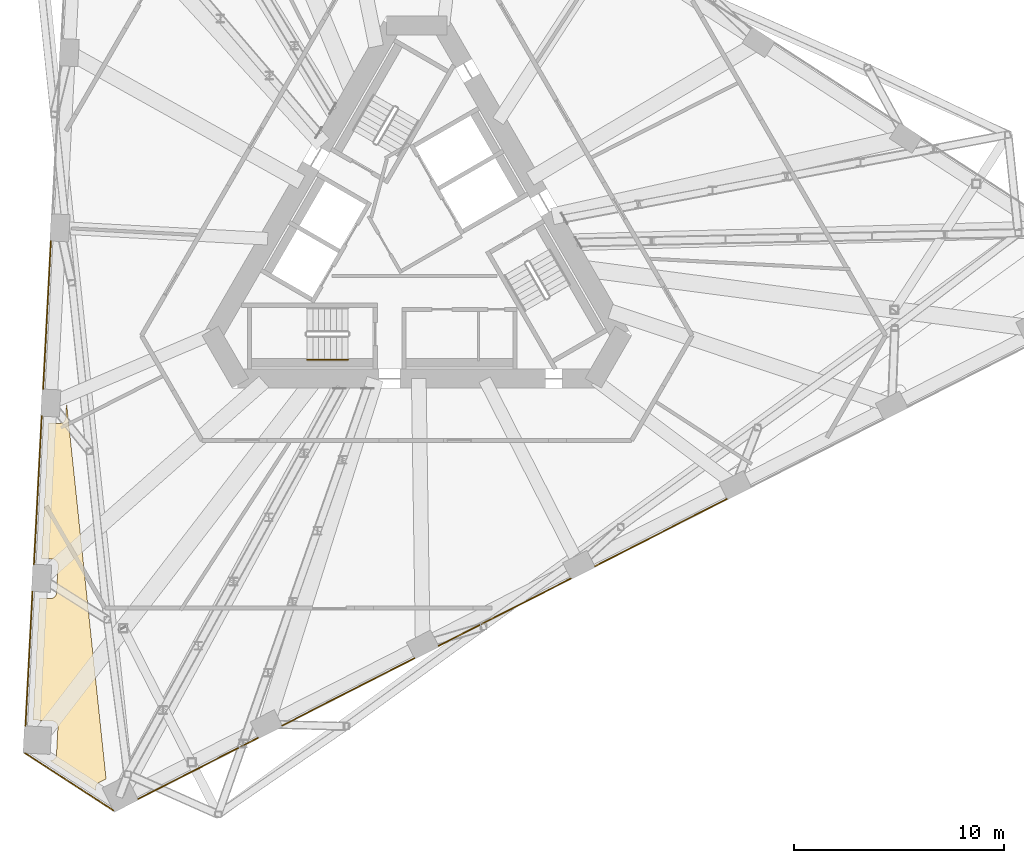
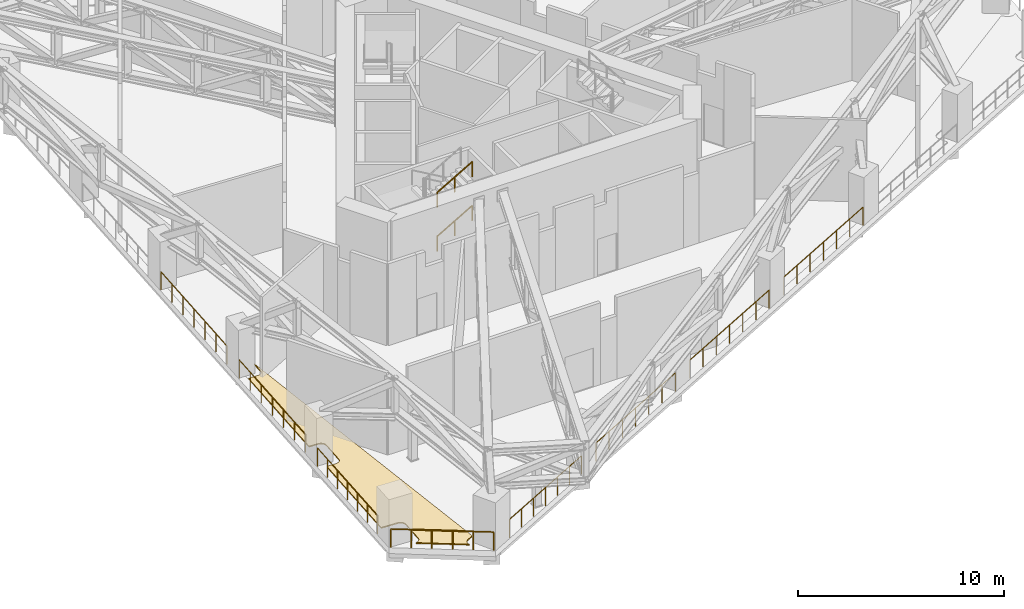
# One storey, part 22 of 26: 10 railings, 2 coverings.
"""IFC4 building model written with IfcOpenShell, lengths in metres."""

from ifc_helpers import new_model, si_unit, direction, frame, origin, origin_2d, place, context, subcontext, project, spatial, polyline, circle, outline, extrude, material, layer, layer_set, type_object, element, save


model = new_model("IFC4")

# Units and contexts
model_context = context("Model", 3, precision=1e-05, world=origin(), true_north=direction((0.0, 1.0)))
body_context = subcontext(model_context, "Body", "Model", "MODEL_VIEW")
ifc_project = project(units=[si_unit("LENGTHUNIT", "METRE"), si_unit("AREAUNIT", "SQUARE_METRE"), si_unit("VOLUMEUNIT", "CUBIC_METRE"), si_unit("PLANEANGLEUNIT", "RADIAN"), si_unit("MASSUNIT", "GRAM", prefix="KILO")], contexts=[model_context])

# Site, building, storey
site_placement = place(None, origin())
site = spatial("IfcSite", under=ifc_project, at=site_placement, CompositionType="ELEMENT")
building_placement = place(site_placement, origin())
building = spatial("IfcBuilding", under=site, at=building_placement, Name="Tramontana Tower", CompositionType="ELEMENT")
storey_placement = place(building_placement, frame((0.0, 0.0, 157.60009765625)))
storey = spatial("IfcBuildingStorey", under=building, at=storey_placement, Name="L36", CompositionType="ELEMENT", Elevation=157.60009765625)

# Railings
ifc_material_1 = material(Name="Stainless steel rail and posts", Category="steel")
railing_type_1 = type_object("IfcRailingType", Name="GD2 Terrace guard 1100", PredefinedType="GUARDRAIL", material=ifc_material_1)
railing_1_placement = place(storey_placement, frame((-18.690673828125, -24.169677734375, 0.0)))
element("IfcRailing", 1, at=railing_1_placement, inside=storey, type_object=railing_type_1, Name="Edge guard L36 1", PredefinedType="GUARDRAIL", context=body_context, shape_type="SweptSolid", body=[
    extrude(circle(Radius=0.02392578125, at=origin_2d()), frame((0.0, 0.0, 1.076171875), z_axis=(0.838682290611, -0.544620983268, 0.0), x_axis=(0.544620983268, 0.838682290611, 0.0)), (0.0, 0.0, 1.0), 5.02294921875),
    extrude(circle(Radius=0.02099609375, at=origin_2d()), origin(), (0.0, 0.0, 1.0), 1.052001953125),
    extrude(circle(Radius=0.02099609375, at=origin_2d()), frame((0.842529296875, -0.547119140625, 0.0)), (0.0, 0.0, 1.0), 1.052001953125),
    extrude(circle(Radius=0.02099609375, at=origin_2d()), frame((1.68505859375, -1.09423828125, 0.0)), (0.0, 0.0, 1.0), 1.052001953125),
    extrude(circle(Radius=0.02099609375, at=origin_2d()), frame((2.527587890625, -1.641357421875, 0.0)), (0.0, 0.0, 1.0), 1.052001953125),
    extrude(circle(Radius=0.02099609375, at=origin_2d()), frame((3.3701171875, -2.1884765625, 0.0)), (0.0, 0.0, 1.0), 1.052001953125),
    extrude(circle(Radius=0.02099609375, at=origin_2d()), frame((4.212646484375, -2.735595703125, 0.0)), (0.0, 0.0, 1.0), 1.052001953125),
])
railing_2_placement = place(storey_placement, frame((-18.33642578125, -16.4560546875, 0.0)))
element("IfcRailing", 2, at=railing_2_placement, inside=storey, type_object=railing_type_1, Name="Edge guard L36 2", PredefinedType="GUARDRAIL", context=body_context, shape_type="SweptSolid", body=[
    extrude(circle(Radius=0.02392578125, at=origin_2d()), frame((0.0, 0.0, 1.076171875), z_axis=(-0.052313391961, -0.998630717043, 0.0), x_axis=(0.998630717043, -0.052313391961, 0.0)), (0.0, 0.0, 1.0), 6.421630859375),
    extrude(circle(Radius=0.02099609375, at=origin_2d()), origin(), (0.0, 0.0, 1.0), 1.052001953125),
    extrude(circle(Radius=0.02099609375, at=origin_2d()), frame((-0.055908203125, -1.06884765625, 0.0)), (0.0, 0.0, 1.0), 1.052001953125),
    extrude(circle(Radius=0.02099609375, at=origin_2d()), frame((-0.112060546875, -2.1376953125, 0.0)), (0.0, 0.0, 1.0), 1.052001953125),
    extrude(circle(Radius=0.02099609375, at=origin_2d()), frame((-0.16796875, -3.20654296875, 0.0)), (0.0, 0.0, 1.0), 1.052001953125),
    extrude(circle(Radius=0.02099609375, at=origin_2d()), frame((-0.223876953125, -4.275146484375, 0.0)), (0.0, 0.0, 1.0), 1.052001953125),
    extrude(circle(Radius=0.02099609375, at=origin_2d()), frame((-0.280029296875, -5.343994140625, 0.0)), (0.0, 0.0, 1.0), 1.052001953125),
    extrude(circle(Radius=0.02099609375, at=origin_2d()), frame((-0.3359375, -6.412841796875, 0.0)), (0.0, 0.0, 1.0), 1.052001953125),
])
for number, where, name in (
    (3, (-17.898193359375, -8.095947265625, 0.0), "Edge guard L36 3"),
    (4, (-17.460205078125, 0.26416015625, 0.0), "Edge guard L36 4"),
):
    element("IfcRailing", number, at=place(storey_placement, frame(where)), inside=storey, type_object=railing_type_1, Name=name, PredefinedType="GUARDRAIL", context=body_context, shape_type="SweptSolid", body=[
        extrude(circle(Radius=0.02392578125, at=origin_2d()), frame((0.0, 0.0, 1.076171875), z_axis=(-0.052337766399, -0.998629439887, 0.0), x_axis=(0.998629439887, -0.052337766399, 0.0)), (0.0, 0.0, 1.0), 7.07177734375),
        extrude(circle(Radius=0.02099609375, at=origin_2d()), origin(), (0.0, 0.0, 1.0), 1.052001953125),
        extrude(circle(Radius=0.02099609375, at=origin_2d()), frame((-0.061767578125, -1.177001953125, 0.0)), (0.0, 0.0, 1.0), 1.052001953125),
        extrude(circle(Radius=0.02099609375, at=origin_2d()), frame((-0.123291015625, -2.35400390625, 0.0)), (0.0, 0.0, 1.0), 1.052001953125),
        extrude(circle(Radius=0.02099609375, at=origin_2d()), frame((-0.18505859375, -3.531005859375, 0.0)), (0.0, 0.0, 1.0), 1.052001953125),
        extrude(circle(Radius=0.02099609375, at=origin_2d()), frame((-0.246826171875, -4.7080078125, 0.0)), (0.0, 0.0, 1.0), 1.052001953125),
        extrude(circle(Radius=0.02099609375, at=origin_2d()), frame((-0.308349609375, -5.885009765625, 0.0)), (0.0, 0.0, 1.0), 1.052001953125),
        extrude(circle(Radius=0.02099609375, at=origin_2d()), frame((-0.3701171875, -7.06201171875, 0.0)), (0.0, 0.0, 1.0), 1.052001953125),
    ])
railing_3_placement = place(storey_placement, frame((-13.296875, -26.359619140625, 0.0)))
element("IfcRailing", 5, at=railing_3_placement, inside=storey, type_object=railing_type_1, Name="Edge guard L36 9", PredefinedType="GUARDRAIL", context=body_context, shape_type="SweptSolid", body=[
    extrude(circle(Radius=0.02392578125, at=origin_2d()), frame((0.0, 0.0, 1.076171875), z_axis=(0.891010191031, 0.453983303085, 0.0), x_axis=(-0.453983303085, 0.891010191031, 0.0)), (0.0, 0.0, 1.0), 6.421630859375),
    extrude(circle(Radius=0.02099609375, at=origin_2d()), origin(), (0.0, 0.0, 1.0), 1.052001953125),
    extrude(circle(Radius=0.02099609375, at=origin_2d()), frame((0.95361328125, 0.48583984375, 0.0)), (0.0, 0.0, 1.0), 1.052001953125),
    extrude(circle(Radius=0.02099609375, at=origin_2d()), frame((1.9072265625, 0.9716796875, 0.0)), (0.0, 0.0, 1.0), 1.052001953125),
    extrude(circle(Radius=0.02099609375, at=origin_2d()), frame((2.86083984375, 1.45751953125, 0.0)), (0.0, 0.0, 1.0), 1.052001953125),
    extrude(circle(Radius=0.02099609375, at=origin_2d()), frame((3.814453125, 1.943603515625, 0.0)), (0.0, 0.0, 1.0), 1.052001953125),
    extrude(circle(Radius=0.02099609375, at=origin_2d()), frame((4.76806640625, 2.429443359375, 0.0)), (0.0, 0.0, 1.0), 1.052001953125),
    extrude(circle(Radius=0.02099609375, at=origin_2d()), frame((5.7216796875, 2.915283203125, 0.0)), (0.0, 0.0, 1.0), 1.052001953125),
])
railing_4_placement = place(storey_placement, frame((-6.4169921875, -22.854248046875, 0.0)))
element("IfcRailing", 6, at=railing_4_placement, inside=storey, type_object=railing_type_1, Name="Edge guard L36 11", PredefinedType="GUARDRAIL", context=body_context, shape_type="SweptSolid", body=[
    extrude(circle(Radius=0.02392578125, at=origin_2d()), frame((0.0, 0.0, 1.076171875), z_axis=(0.891004189171, 0.45399508244, 0.0), x_axis=(-0.45399508244, 0.891004189171, 0.0)), (0.0, 0.0, 1.0), 7.071533203125),
    extrude(circle(Radius=0.02099609375, at=origin_2d()), origin(), (0.0, 0.0, 1.0), 1.052001953125),
    extrude(circle(Radius=0.02099609375, at=origin_2d()), frame((1.050048828125, 0.53515625, 0.0)), (0.0, 0.0, 1.0), 1.052001953125),
    extrude(circle(Radius=0.02099609375, at=origin_2d()), frame((2.100341796875, 1.070068359375, 0.0)), (0.0, 0.0, 1.0), 1.052001953125),
    extrude(circle(Radius=0.02099609375, at=origin_2d()), frame((3.150390625, 1.605224609375, 0.0)), (0.0, 0.0, 1.0), 1.052001953125),
    extrude(circle(Radius=0.02099609375, at=origin_2d()), frame((4.200439453125, 2.140380859375, 0.0)), (0.0, 0.0, 1.0), 1.052001953125),
    extrude(circle(Radius=0.02099609375, at=origin_2d()), frame((5.250732421875, 2.67529296875, 0.0)), (0.0, 0.0, 1.0), 1.052001953125),
    extrude(circle(Radius=0.02099609375, at=origin_2d()), frame((6.30078125, 3.21044921875, 0.0)), (0.0, 0.0, 1.0), 1.052001953125),
])
railing_5_placement = place(storey_placement, frame((1.042236328125, -19.053466796875, 0.0)))
element("IfcRailing", 7, at=railing_5_placement, inside=storey, type_object=railing_type_1, Name="Edge guard L36 13", PredefinedType="GUARDRAIL", context=body_context, shape_type="SweptSolid", body=[
    extrude(circle(Radius=0.02392578125, at=origin_2d()), frame((0.0, 0.0, 1.076171875), z_axis=(0.891018154462, 0.453967673319, 0.0), x_axis=(-0.453967673319, 0.891018154462, 0.0)), (0.0, 0.0, 1.0), 7.071533203125),
    extrude(circle(Radius=0.02099609375, at=origin_2d()), origin(), (0.0, 0.0, 1.0), 1.052001953125),
    extrude(circle(Radius=0.02099609375, at=origin_2d()), frame((1.050048828125, 0.53515625, 0.0)), (0.0, 0.0, 1.0), 1.052001953125),
    extrude(circle(Radius=0.02099609375, at=origin_2d()), frame((2.100341796875, 1.070068359375, 0.0)), (0.0, 0.0, 1.0), 1.052001953125),
    extrude(circle(Radius=0.02099609375, at=origin_2d()), frame((3.150390625, 1.60498046875, 0.0)), (0.0, 0.0, 1.0), 1.052001953125),
    extrude(circle(Radius=0.02099609375, at=origin_2d()), frame((4.200439453125, 2.14013671875, 0.0)), (0.0, 0.0, 1.0), 1.052001953125),
    extrude(circle(Radius=0.02099609375, at=origin_2d()), frame((5.250732421875, 2.67529296875, 0.0)), (0.0, 0.0, 1.0), 1.052001953125),
    extrude(circle(Radius=0.02099609375, at=origin_2d()), frame((6.30078125, 3.210205078125, 0.0)), (0.0, 0.0, 1.0), 1.052001953125),
])
railing_6_placement = place(storey_placement, frame((8.501220703125, -15.2529296875, 0.0)))
element("IfcRailing", 8, at=railing_6_placement, inside=storey, type_object=railing_type_1, Name="Edge guard L36 15", PredefinedType="GUARDRAIL", context=body_context, shape_type="SweptSolid", body=[
    extrude(circle(Radius=0.02392578125, at=origin_2d()), frame((0.0, 0.0, 1.076171875), z_axis=(0.891004189171, 0.45399508244, 0.0), x_axis=(-0.45399508244, 0.891004189171, 0.0)), (0.0, 0.0, 1.0), 7.071533203125),
    extrude(circle(Radius=0.02099609375, at=origin_2d()), origin(), (0.0, 0.0, 1.0), 1.052001953125),
    extrude(circle(Radius=0.02099609375, at=origin_2d()), frame((1.050048828125, 0.53515625, 0.0)), (0.0, 0.0, 1.0), 1.052001953125),
    extrude(circle(Radius=0.02099609375, at=origin_2d()), frame((2.100341796875, 1.070068359375, 0.0)), (0.0, 0.0, 1.0), 1.052001953125),
    extrude(circle(Radius=0.02099609375, at=origin_2d()), frame((3.150390625, 1.605224609375, 0.0)), (0.0, 0.0, 1.0), 1.052001953125),
    extrude(circle(Radius=0.02099609375, at=origin_2d()), frame((4.200439453125, 2.140380859375, 0.0)), (0.0, 0.0, 1.0), 1.052001953125),
    extrude(circle(Radius=0.02099609375, at=origin_2d()), frame((5.250732421875, 2.67529296875, 0.0)), (0.0, 0.0, 1.0), 1.052001953125),
    extrude(circle(Radius=0.02099609375, at=origin_2d()), frame((6.30078125, 3.21044921875, 0.0)), (0.0, 0.0, 1.0), 1.052001953125),
])

# Covering
ifc_material_2 = material(Name="Limestone paving 60", Category="masonry")
ifc_layer_1 = layer(ifc_material_2, 0.06005859375)
ifc_layer_set_1 = layer_set([ifc_layer_1], Name="PV1 Terrace paving 60")
covering_type_1 = type_object("IfcCoveringType", Name="PV1 Terrace paving 60", PredefinedType="FLOORING", material=ifc_layer_set_1)
covering_1_placement = place(storey_placement, frame((0.0, 0.0, 0.010009765625)))
element("IfcCovering", 9, at=covering_1_placement, inside=storey, type_object=covering_type_1, Name="Terrace paving L36 2", PredefinedType="FLOORING", context=body_context, shape_type="SweptSolid", body=[
    extrude(outline(polyline([(-17.48974609375, -24.5322265625), (-17.478515625, -24.5322265625), (-17.44921875, -24.529296875), (-17.420166015625, -24.523681640625), (-17.39208984375, -24.515380859375), (-17.36474609375, -24.504150390625), (-17.3388671875, -24.490234375), (-17.314208984375, -24.47412109375), (-17.29150390625, -24.455322265625), (-17.2705078125, -24.4345703125), (-17.251708984375, -24.411865234375), (-17.2353515625, -24.387451171875), (-17.221435546875, -24.361572265625), (-17.2099609375, -24.33447265625), (-17.201416015625, -24.306396484375), (-17.195556640625, -24.27734375), (-17.192626953125, -24.248291015625), (-17.12451171875, -22.949951171875), (-17.12451171875, -22.92041015625), (-17.127197265625, -22.89111328125), (-17.1328125, -22.8623046875), (-17.141357421875, -22.834228515625), (-17.152587890625, -22.806884765625), (-17.166259765625, -22.78076171875), (-17.1826171875, -22.75634765625), (-17.201171875, -22.7333984375), (-17.221923828125, -22.712646484375), (-17.24462890625, -22.69384765625), (-17.26904296875, -22.677490234375), (-17.294921875, -22.66357421875), (-17.322265625, -22.652099609375), (-17.350341796875, -22.6435546875), (-17.379150390625, -22.6376953125), (-17.408447265625, -22.634765625), (-18.30712890625, -22.587646484375), (-18.00244140625, -16.77392578125), (-17.503173828125, -16.800048828125), (-17.473876953125, -16.80029296875), (-17.444580078125, -16.79736328125), (-17.41552734375, -16.791748046875), (-17.387451171875, -16.783447265625), (-17.360107421875, -16.772216796875), (-17.334228515625, -16.75830078125), (-17.3095703125, -16.7421875), (-17.286865234375, -16.723388671875), (-17.265869140625, -16.70263671875), (-17.2470703125, -16.679931640625), (-17.230712890625, -16.655517578125), (-17.216796875, -16.629638671875), (-17.205322265625, -16.6025390625), (-17.19677734375, -16.574462890625), (-17.19091796875, -16.545654296875), (-17.18798828125, -16.516357421875), (-17.119873046875, -15.218017578125), (-17.119873046875, -15.1884765625), (-17.12255859375, -15.1591796875), (-17.128173828125, -15.13037109375), (-17.13671875, -15.102294921875), (-17.14794921875, -15.074951171875), (-17.16162109375, -15.048828125), (-17.177978515625, -15.0244140625), (-17.196533203125, -15.00146484375), (-17.21728515625, -14.980712890625), (-17.239990234375, -14.9619140625), (-17.264404296875, -14.945556640625), (-17.290283203125, -14.931640625), (-17.317626953125, -14.920166015625), (-17.345703125, -14.91162109375), (-17.37451171875, -14.90576171875), (-17.40380859375, -14.90283203125), (-17.903076171875, -14.87646484375), (-17.564453125, -8.413818359375), (-17.065185546875, -8.43994140625), (-17.03564453125, -8.440185546875), (-17.00634765625, -8.437255859375), (-16.9775390625, -8.431640625), (-16.94921875, -8.42333984375), (-16.922119140625, -8.412109375), (-16.89599609375, -8.398193359375), (-16.87158203125, -8.382080078125), (-16.8486328125, -8.36328125), (-16.827880859375, -8.342529296875), (-16.80908203125, -8.31982421875), (-16.79248046875, -8.29541015625), (-16.778564453125, -8.26953125), (-16.767333984375, -8.242431640625), (-16.758544921875, -8.21435546875), (-16.752685546875, -8.185546875), (-16.749755859375, -8.15625), (-16.712890625, -7.449951171875), (-14.826171875, -25.3994140625), (-15.158935546875, -25.56884765625), (-15.1845703125, -25.58349609375), (-15.20849609375, -25.6005859375), (-15.230712890625, -25.619873046875), (-15.2509765625, -25.641357421875), (-15.268798828125, -25.66455078125), (-15.284423828125, -25.689453125), (-15.297607421875, -25.7158203125), (-15.30810546875, -25.743408203125), (-15.315673828125, -25.77197265625), (-15.320556640625, -25.80078125), (-15.32275390625, -25.830322265625), (-15.32177734375, -25.859619140625), (-15.318115234375, -25.888916015625), (-15.3115234375, -25.91748046875), (-15.302001953125, -25.945556640625), (-15.29736328125, -25.955810546875), (-17.48974609375, -24.5322265625)])), origin(), (0.0, 0.0, 1.0), 0.059814453125),
])

# Railings
ifc_material_3 = material(Name="Painted steel", Category="steel")
railing_type_2 = type_object("IfcRailingType", Name="STAIR HANDRAIL 900", PredefinedType="HANDRAIL", material=ifc_material_3)
for number, where, name in (
    (10, (-5.239990234375, -5.39990234375, 1.46240234375), "L36 ST2 stair handrail 2"),
    (11, (-5.239990234375, -5.39990234375, 4.0625), "L36 ST2 stair handrail 4"),
):
    element("IfcRailing", number, at=place(storey_placement, frame(where)), inside=storey, type_object=railing_type_2, Name=name, PredefinedType="HANDRAIL", context=body_context, shape_type="SweptSolid", body=[
        extrude(circle(Radius=0.02392578125, at=origin_2d()), frame((0.0, 0.0, 0.8759765625), z_axis=(0.864902109995, 0.0, 0.501940574298), x_axis=(0.0, 1.0, 0.0)), (0.0, 0.0, 1.0), 2.26611328125),
        extrude(circle(Radius=0.02099609375, at=origin_2d()), origin(), (0.0, 0.0, 1.0), 0.851806640625),
        extrude(circle(Radius=0.02099609375, at=origin_2d()), frame((0.97998046875, 0.0, 0.56884765625)), (0.0, 0.0, 1.0), 0.851806640625),
        extrude(circle(Radius=0.02099609375, at=origin_2d()), frame((1.9599609375, 0.0, 1.137451171875)), (0.0, 0.0, 1.0), 0.851806640625),
    ])

# Covering
ifc_material_4 = material(Name="Bituminous waterproofing membrane")
ifc_layer_2 = layer(ifc_material_4, 0.010009765625)
ifc_layer_set_2 = layer_set([ifc_layer_2], Name="WP1 Terrace waterproofing membrane 10")
covering_type_2 = type_object("IfcCoveringType", Name="WP1 Terrace waterproofing membrane 10", PredefinedType="MEMBRANE", material=ifc_layer_set_2)
covering_2_placement = place(storey_placement, origin())
element("IfcCovering", 12, at=covering_2_placement, inside=storey, type_object=covering_type_2, Name="Terrace membrane L36 2", PredefinedType="MEMBRANE", context=body_context, shape_type="SweptSolid", body=[
    extrude(outline(polyline([(-17.48974609375, -24.5322265625), (-17.478515625, -24.5322265625), (-17.44921875, -24.529296875), (-17.420166015625, -24.523681640625), (-17.39208984375, -24.515380859375), (-17.36474609375, -24.504150390625), (-17.3388671875, -24.490234375), (-17.314208984375, -24.47412109375), (-17.29150390625, -24.455322265625), (-17.2705078125, -24.4345703125), (-17.251708984375, -24.411865234375), (-17.2353515625, -24.387451171875), (-17.221435546875, -24.361572265625), (-17.2099609375, -24.33447265625), (-17.201416015625, -24.306396484375), (-17.195556640625, -24.27734375), (-17.192626953125, -24.248291015625), (-17.12451171875, -22.949951171875), (-17.12451171875, -22.92041015625), (-17.127197265625, -22.89111328125), (-17.1328125, -22.8623046875), (-17.141357421875, -22.834228515625), (-17.152587890625, -22.806884765625), (-17.166259765625, -22.78076171875), (-17.1826171875, -22.75634765625), (-17.201171875, -22.7333984375), (-17.221923828125, -22.712646484375), (-17.24462890625, -22.69384765625), (-17.26904296875, -22.677490234375), (-17.294921875, -22.66357421875), (-17.322265625, -22.652099609375), (-17.350341796875, -22.6435546875), (-17.379150390625, -22.6376953125), (-17.408447265625, -22.634765625), (-18.30712890625, -22.587646484375), (-18.00244140625, -16.77392578125), (-17.503173828125, -16.800048828125), (-17.473876953125, -16.80029296875), (-17.444580078125, -16.79736328125), (-17.41552734375, -16.791748046875), (-17.387451171875, -16.783447265625), (-17.360107421875, -16.772216796875), (-17.334228515625, -16.75830078125), (-17.3095703125, -16.7421875), (-17.286865234375, -16.723388671875), (-17.265869140625, -16.70263671875), (-17.2470703125, -16.679931640625), (-17.230712890625, -16.655517578125), (-17.216796875, -16.629638671875), (-17.205322265625, -16.6025390625), (-17.19677734375, -16.574462890625), (-17.19091796875, -16.545654296875), (-17.18798828125, -16.516357421875), (-17.119873046875, -15.218017578125), (-17.119873046875, -15.1884765625), (-17.12255859375, -15.1591796875), (-17.128173828125, -15.13037109375), (-17.13671875, -15.102294921875), (-17.14794921875, -15.074951171875), (-17.16162109375, -15.048828125), (-17.177978515625, -15.0244140625), (-17.196533203125, -15.00146484375), (-17.21728515625, -14.980712890625), (-17.239990234375, -14.9619140625), (-17.264404296875, -14.945556640625), (-17.290283203125, -14.931640625), (-17.317626953125, -14.920166015625), (-17.345703125, -14.91162109375), (-17.37451171875, -14.90576171875), (-17.40380859375, -14.90283203125), (-17.903076171875, -14.87646484375), (-17.564453125, -8.413818359375), (-17.065185546875, -8.43994140625), (-17.03564453125, -8.440185546875), (-17.00634765625, -8.437255859375), (-16.9775390625, -8.431640625), (-16.94921875, -8.42333984375), (-16.922119140625, -8.412109375), (-16.89599609375, -8.398193359375), (-16.87158203125, -8.382080078125), (-16.8486328125, -8.36328125), (-16.827880859375, -8.342529296875), (-16.80908203125, -8.31982421875), (-16.79248046875, -8.29541015625), (-16.778564453125, -8.26953125), (-16.767333984375, -8.242431640625), (-16.758544921875, -8.21435546875), (-16.752685546875, -8.185546875), (-16.749755859375, -8.15625), (-16.712890625, -7.449951171875), (-14.826171875, -25.3994140625), (-15.158935546875, -25.56884765625), (-15.1845703125, -25.58349609375), (-15.20849609375, -25.6005859375), (-15.230712890625, -25.619873046875), (-15.2509765625, -25.641357421875), (-15.268798828125, -25.66455078125), (-15.284423828125, -25.689453125), (-15.297607421875, -25.7158203125), (-15.30810546875, -25.743408203125), (-15.315673828125, -25.77197265625), (-15.320556640625, -25.80078125), (-15.32275390625, -25.830322265625), (-15.32177734375, -25.859619140625), (-15.318115234375, -25.888916015625), (-15.3115234375, -25.91748046875), (-15.302001953125, -25.945556640625), (-15.29736328125, -25.955810546875), (-17.48974609375, -24.5322265625)])), origin(), (0.0, 0.0, 1.0), 0.010009765625),
])

save(model, "model.ifc")
